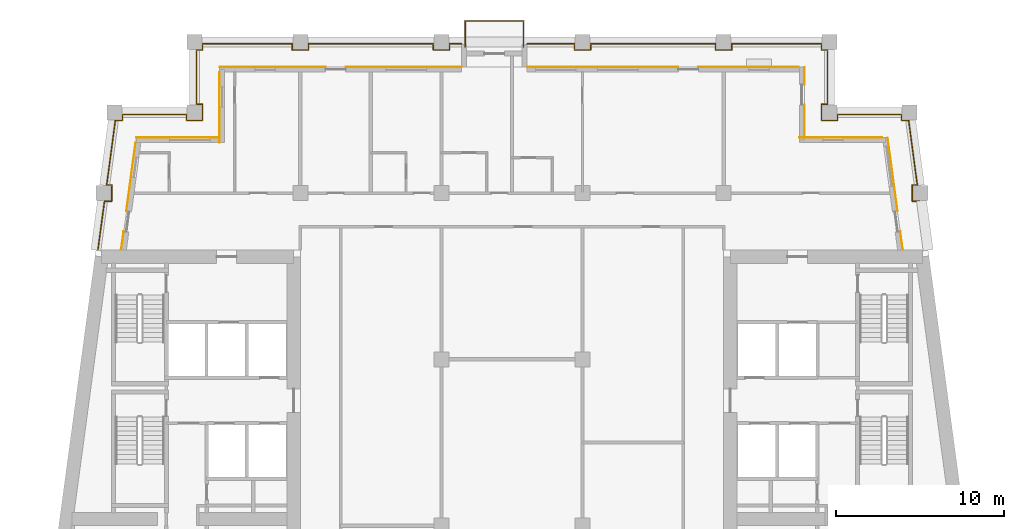
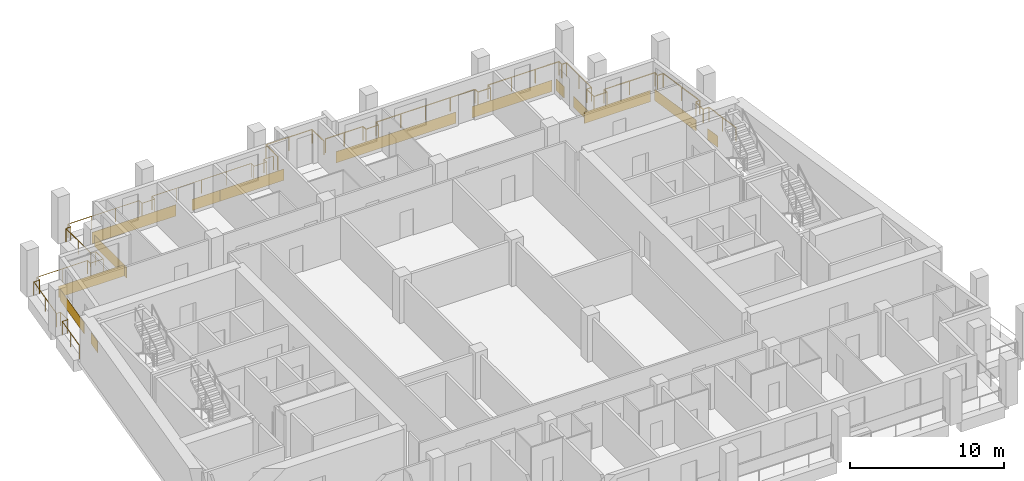
# One storey, part 11 of 12: 14 coverings, 3 railings.
"""IFC4 building model written with IfcOpenShell, lengths in metres."""

from ifc_helpers import new_model, si_unit, direction, frame, origin, origin_2d, place, context, subcontext, project, spatial, rectangle, circle, extrude, material, layer, layer_set, type_object, element, save


model = new_model("IFC4")

# Units and contexts
model_context = context("Model", 3, precision=1e-05, world=origin(), true_north=direction((0.0, 1.0)))
body_context = subcontext(model_context, "Body", "Model", "MODEL_VIEW")
ifc_project = project(units=[si_unit("LENGTHUNIT", "METRE"), si_unit("AREAUNIT", "SQUARE_METRE"), si_unit("VOLUMEUNIT", "CUBIC_METRE"), si_unit("PLANEANGLEUNIT", "RADIAN"), si_unit("MASSUNIT", "GRAM", prefix="KILO")], contexts=[model_context])

# Site, building, storey
site_placement = place(None, origin())
site = spatial("IfcSite", under=ifc_project, at=site_placement, CompositionType="ELEMENT")
building_placement = place(site_placement, origin())
building = spatial("IfcBuilding", under=site, at=building_placement, Name="Candeia Pilgrim Tower and Theatre", CompositionType="ELEMENT")
storey_placement = place(building_placement, frame((0.0, 0.0, 209.60009765625)))
storey = spatial("IfcBuildingStorey", under=building, at=storey_placement, Name="L50", CompositionType="ELEMENT", Elevation=209.60009765625)

# Railings
ifc_material_1 = material(Name="Stainless steel balustrade", Category="steel")
railing_type = type_object("IfcRailingType", Name="G1 loggia guard 1100", PredefinedType="GUARDRAIL", material=ifc_material_1)
railing_1_placement = place(storey_placement, frame((88.758544921875, 132.449951171875, 0.0)))
element("IfcRailing", 1, at=railing_1_placement, inside=storey, type_object=railing_type, Name="Guard L50.2", PredefinedType="GUARDRAIL", context=body_context, shape_type="SweptSolid", body=[
    extrude(circle(Radius=0.02392578125, at=origin_2d()), frame((0.0, 0.0, 1.076171875), z_axis=(0.133450228179, 0.991055516406, 0.0), x_axis=(-0.991055516406, 0.133450228179, 0.0)), (0.0, 0.0, 1.0), 2.89599609375),
    extrude(circle(Radius=0.02392578125, at=origin_2d()), frame((0.386474609375, 2.8701171875, 1.076171875), z_axis=(1.0, 0.0, 0.0), x_axis=(0.0, 1.0, 0.0)), (0.0, 0.0, 1.0), 0.42333984375),
    extrude(circle(Radius=0.02392578125, at=origin_2d()), frame((0.809814453125, 2.8701171875, 1.076171875), z_axis=(0.0, 1.0, 0.0), x_axis=(-1.0, 0.0, 0.0)), (0.0, 0.0, 1.0), 0.9599609375),
    extrude(circle(Radius=0.02392578125, at=origin_2d()), frame((0.809814453125, 3.830078125, 1.076171875), z_axis=(-1.0, 0.0, 0.0), x_axis=(0.0, -1.0, 0.0)), (0.0, 0.0, 1.0), 0.294189453125),
    extrude(circle(Radius=0.02392578125, at=origin_2d()), frame((0.515625, 3.830078125, 1.076171875), z_axis=(0.133389399471, 0.991063705374, 0.0), x_axis=(-0.991063705374, 0.133389399471, 0.0)), (0.0, 0.0, 1.0), 3.874755859375),
    extrude(circle(Radius=0.02392578125, at=origin_2d()), frame((1.032470703125, 7.670166015625, 1.076171875), z_axis=(1.0, 0.0, 0.0), x_axis=(0.0, 1.0, 0.0)), (0.0, 0.0, 1.0), 0.423583984375),
    extrude(circle(Radius=0.02392578125, at=origin_2d()), frame((1.4560546875, 7.670166015625, 1.076171875), z_axis=(0.0, 1.0, 0.0), x_axis=(-1.0, 0.0, 0.0)), (0.0, 0.0, 1.0), 0.35986328125),
    extrude(circle(Radius=0.02392578125, at=origin_2d()), frame((1.4560546875, 8.030029296875, 1.076171875), z_axis=(1.0, 0.0, 0.0), x_axis=(0.0, 1.0, 0.0)), (0.0, 0.0, 1.0), 3.805419921875),
    extrude(circle(Radius=0.02392578125, at=origin_2d()), frame((5.261474609375, 8.030029296875, 1.076171875), z_axis=(0.0, -1.0, 0.0), x_axis=(1.0, 0.0, 0.0)), (0.0, 0.0, 1.0), 0.35986328125),
    extrude(circle(Radius=0.02392578125, at=origin_2d()), frame((5.261474609375, 7.670166015625, 1.076171875), z_axis=(1.0, 0.0, 0.0), x_axis=(0.0, 1.0, 0.0)), (0.0, 0.0, 1.0), 0.9599609375),
    extrude(circle(Radius=0.02392578125, at=origin_2d()), frame((6.221435546875, 7.670166015625, 1.076171875), z_axis=(0.0, 1.0, 0.0), x_axis=(-1.0, 0.0, 0.0)), (0.0, 0.0, 1.0), 0.9599609375),
    extrude(circle(Radius=0.02392578125, at=origin_2d()), frame((6.221435546875, 8.630126953125, 1.076171875), z_axis=(-1.0, 0.0, 0.0), x_axis=(0.0, -1.0, 0.0)), (0.0, 0.0, 1.0), 0.35986328125),
    extrude(circle(Radius=0.02392578125, at=origin_2d()), frame((5.861572265625, 8.630126953125, 1.076171875), z_axis=(0.0, 1.0, 0.0), x_axis=(-1.0, 0.0, 0.0)), (0.0, 0.0, 1.0), 3.239990234375),
    extrude(circle(Radius=0.02392578125, at=origin_2d()), frame((5.861572265625, 11.8701171875, 1.076171875), z_axis=(1.0, 0.0, 0.0), x_axis=(0.0, 1.0, 0.0)), (0.0, 0.0, 1.0), 0.35986328125),
    extrude(circle(Radius=0.02392578125, at=origin_2d()), frame((6.221435546875, 11.8701171875, 1.076171875), z_axis=(0.0, 1.0, 0.0), x_axis=(-1.0, 0.0, 0.0)), (0.0, 0.0, 1.0), 0.35986328125),
    extrude(circle(Radius=0.02392578125, at=origin_2d()), frame((6.221435546875, 12.22998046875, 1.076171875), z_axis=(1.0, 0.0, 0.0), x_axis=(0.0, 1.0, 0.0)), (0.0, 0.0, 1.0), 5.340087890625),
    extrude(circle(Radius=0.02392578125, at=origin_2d()), frame((11.5615234375, 12.22998046875, 1.076171875), z_axis=(0.0, -1.0, 0.0), x_axis=(1.0, 0.0, 0.0)), (0.0, 0.0, 1.0), 0.35986328125),
    extrude(circle(Radius=0.02392578125, at=origin_2d()), frame((11.5615234375, 11.8701171875, 1.076171875), z_axis=(1.0, 0.0, 0.0), x_axis=(0.0, 1.0, 0.0)), (0.0, 0.0, 1.0), 0.9599609375),
    extrude(circle(Radius=0.02392578125, at=origin_2d()), frame((12.521484375, 11.8701171875, 1.076171875), z_axis=(0.0, 1.0, 0.0), x_axis=(-1.0, 0.0, 0.0)), (0.0, 0.0, 1.0), 0.35986328125),
    extrude(circle(Radius=0.02392578125, at=origin_2d()), frame((12.521484375, 12.22998046875, 1.076171875), z_axis=(1.0, 0.0, 0.0), x_axis=(0.0, 1.0, 0.0)), (0.0, 0.0, 1.0), 7.43994140625),
    extrude(circle(Radius=0.02392578125, at=origin_2d()), frame((19.96142578125, 12.22998046875, 1.076171875), z_axis=(0.0, -1.0, 0.0), x_axis=(1.0, 0.0, 0.0)), (0.0, 0.0, 1.0), 0.35986328125),
    extrude(circle(Radius=0.02392578125, at=origin_2d()), frame((19.96142578125, 11.8701171875, 1.076171875), z_axis=(1.0, 0.0, 0.0), x_axis=(0.0, 1.0, 0.0)), (0.0, 0.0, 1.0), 0.9599609375),
    extrude(circle(Radius=0.02392578125, at=origin_2d()), frame((20.92138671875, 11.8701171875, 1.076171875), z_axis=(0.0, 1.0, 0.0), x_axis=(-1.0, 0.0, 0.0)), (0.0, 0.0, 1.0), 0.35986328125),
    extrude(circle(Radius=0.02392578125, at=origin_2d()), frame((20.92138671875, 12.22998046875, 1.076171875), z_axis=(1.0, 0.0, 0.0), x_axis=(0.0, 1.0, 0.0)), (0.0, 0.0, 1.0), 0.719970703125),
    extrude(circle(Radius=0.02099609375, at=origin_2d()), origin(), (0.0, 0.0, 1.0), 1.052001953125),
    extrude(circle(Radius=0.02099609375, at=origin_2d()), frame((0.193359375, 1.43505859375, 0.0)), (0.0, 0.0, 1.0), 1.052001953125),
    extrude(circle(Radius=0.02099609375, at=origin_2d()), frame((0.386474609375, 2.8701171875, 0.0)), (0.0, 0.0, 1.0), 1.052001953125),
    extrude(circle(Radius=0.02099609375, at=origin_2d()), frame((0.809814453125, 2.8701171875, 0.0)), (0.0, 0.0, 1.0), 1.052001953125),
    extrude(circle(Radius=0.02099609375, at=origin_2d()), frame((0.809814453125, 3.830078125, 0.0)), (0.0, 0.0, 1.0), 1.052001953125),
    extrude(circle(Radius=0.02099609375, at=origin_2d()), frame((0.515625, 3.830078125, 0.0)), (0.0, 0.0, 1.0), 1.052001953125),
    extrude(circle(Radius=0.02099609375, at=origin_2d()), frame((0.77392578125, 5.75, 0.0)), (0.0, 0.0, 1.0), 1.052001953125),
    extrude(circle(Radius=0.02099609375, at=origin_2d()), frame((1.032470703125, 7.670166015625, 0.0)), (0.0, 0.0, 1.0), 1.052001953125),
    extrude(circle(Radius=0.02099609375, at=origin_2d()), frame((1.4560546875, 7.670166015625, 0.0)), (0.0, 0.0, 1.0), 1.052001953125),
    extrude(circle(Radius=0.02099609375, at=origin_2d()), frame((1.4560546875, 8.030029296875, 0.0)), (0.0, 0.0, 1.0), 1.052001953125),
    extrude(circle(Radius=0.02099609375, at=origin_2d()), frame((3.35888671875, 8.030029296875, 0.0)), (0.0, 0.0, 1.0), 1.052001953125),
    extrude(circle(Radius=0.02099609375, at=origin_2d()), frame((5.261474609375, 8.030029296875, 0.0)), (0.0, 0.0, 1.0), 1.052001953125),
    extrude(circle(Radius=0.02099609375, at=origin_2d()), frame((5.261474609375, 7.670166015625, 0.0)), (0.0, 0.0, 1.0), 1.052001953125),
    extrude(circle(Radius=0.02099609375, at=origin_2d()), frame((6.221435546875, 7.670166015625, 0.0)), (0.0, 0.0, 1.0), 1.052001953125),
    extrude(circle(Radius=0.02099609375, at=origin_2d()), frame((6.221435546875, 8.630126953125, 0.0)), (0.0, 0.0, 1.0), 1.052001953125),
    extrude(circle(Radius=0.02099609375, at=origin_2d()), frame((5.861572265625, 8.630126953125, 0.0)), (0.0, 0.0, 1.0), 1.052001953125),
    extrude(circle(Radius=0.02099609375, at=origin_2d()), frame((5.861572265625, 10.25, 0.0)), (0.0, 0.0, 1.0), 1.052001953125),
    extrude(circle(Radius=0.02099609375, at=origin_2d()), frame((5.861572265625, 11.8701171875, 0.0)), (0.0, 0.0, 1.0), 1.052001953125),
    extrude(circle(Radius=0.02099609375, at=origin_2d()), frame((6.221435546875, 11.8701171875, 0.0)), (0.0, 0.0, 1.0), 1.052001953125),
    extrude(circle(Radius=0.02099609375, at=origin_2d()), frame((6.221435546875, 12.22998046875, 0.0)), (0.0, 0.0, 1.0), 1.052001953125),
    extrude(circle(Radius=0.02099609375, at=origin_2d()), frame((8.00146484375, 12.22998046875, 0.0)), (0.0, 0.0, 1.0), 1.052001953125),
    extrude(circle(Radius=0.02099609375, at=origin_2d()), frame((9.781494140625, 12.22998046875, 0.0)), (0.0, 0.0, 1.0), 1.052001953125),
    extrude(circle(Radius=0.02099609375, at=origin_2d()), frame((11.5615234375, 12.22998046875, 0.0)), (0.0, 0.0, 1.0), 1.052001953125),
    extrude(circle(Radius=0.02099609375, at=origin_2d()), frame((11.5615234375, 11.8701171875, 0.0)), (0.0, 0.0, 1.0), 1.052001953125),
    extrude(circle(Radius=0.02099609375, at=origin_2d()), frame((12.521484375, 11.8701171875, 0.0)), (0.0, 0.0, 1.0), 1.052001953125),
    extrude(circle(Radius=0.02099609375, at=origin_2d()), frame((12.521484375, 12.22998046875, 0.0)), (0.0, 0.0, 1.0), 1.052001953125),
    extrude(circle(Radius=0.02099609375, at=origin_2d()), frame((14.38134765625, 12.22998046875, 0.0)), (0.0, 0.0, 1.0), 1.052001953125),
    extrude(circle(Radius=0.02099609375, at=origin_2d()), frame((16.241455078125, 12.22998046875, 0.0)), (0.0, 0.0, 1.0), 1.052001953125),
    extrude(circle(Radius=0.02099609375, at=origin_2d()), frame((18.1015625, 12.22998046875, 0.0)), (0.0, 0.0, 1.0), 1.052001953125),
    extrude(circle(Radius=0.02099609375, at=origin_2d()), frame((19.96142578125, 12.22998046875, 0.0)), (0.0, 0.0, 1.0), 1.052001953125),
    extrude(circle(Radius=0.02099609375, at=origin_2d()), frame((19.96142578125, 11.8701171875, 0.0)), (0.0, 0.0, 1.0), 1.052001953125),
    extrude(circle(Radius=0.02099609375, at=origin_2d()), frame((20.92138671875, 11.8701171875, 0.0)), (0.0, 0.0, 1.0), 1.052001953125),
    extrude(circle(Radius=0.02099609375, at=origin_2d()), frame((20.92138671875, 12.22998046875, 0.0)), (0.0, 0.0, 1.0), 1.052001953125),
    extrude(circle(Radius=0.02099609375, at=origin_2d()), frame((21.641357421875, 12.22998046875, 0.0)), (0.0, 0.0, 1.0), 1.052001953125),
])
railing_2_placement = place(storey_placement, frame((114.300048828125, 144.679931640625, 0.0)))
element("IfcRailing", 2, at=railing_2_placement, inside=storey, type_object=railing_type, Name="Guard L50.3", PredefinedType="GUARDRAIL", context=body_context, shape_type="SweptSolid", body=[
    extrude(circle(Radius=0.02392578125, at=origin_2d()), frame((0.0, 0.0, 1.076171875), z_axis=(1.0, 0.0, 0.0), x_axis=(0.0, 1.0, 0.0)), (0.0, 0.0, 1.0), 2.820068359375),
    extrude(circle(Radius=0.02392578125, at=origin_2d()), frame((2.820068359375, 0.0, 1.076171875), z_axis=(0.0, -1.0, 0.0), x_axis=(1.0, 0.0, 0.0)), (0.0, 0.0, 1.0), 0.35986328125),
    extrude(circle(Radius=0.02392578125, at=origin_2d()), frame((2.820068359375, -0.35986328125, 1.076171875), z_axis=(1.0, 0.0, 0.0), x_axis=(0.0, 1.0, 0.0)), (0.0, 0.0, 1.0), 0.9599609375),
    extrude(circle(Radius=0.02392578125, at=origin_2d()), frame((3.780029296875, -0.35986328125, 1.076171875), z_axis=(0.0, 1.0, 0.0), x_axis=(-1.0, 0.0, 0.0)), (0.0, 0.0, 1.0), 0.35986328125),
    extrude(circle(Radius=0.02392578125, at=origin_2d()), frame((3.780029296875, 0.0, 1.076171875), z_axis=(1.0, 0.0, 0.0), x_axis=(0.0, 1.0, 0.0)), (0.0, 0.0, 1.0), 7.43994140625),
    extrude(circle(Radius=0.02392578125, at=origin_2d()), frame((11.219970703125, 0.0, 1.076171875), z_axis=(0.0, -1.0, 0.0), x_axis=(1.0, 0.0, 0.0)), (0.0, 0.0, 1.0), 0.35986328125),
    extrude(circle(Radius=0.02392578125, at=origin_2d()), frame((11.219970703125, -0.35986328125, 1.076171875), z_axis=(1.0, 0.0, 0.0), x_axis=(0.0, 1.0, 0.0)), (0.0, 0.0, 1.0), 0.9599609375),
    extrude(circle(Radius=0.02392578125, at=origin_2d()), frame((12.179931640625, -0.35986328125, 1.076171875), z_axis=(0.0, 1.0, 0.0), x_axis=(-1.0, 0.0, 0.0)), (0.0, 0.0, 1.0), 0.35986328125),
    extrude(circle(Radius=0.02392578125, at=origin_2d()), frame((12.179931640625, 0.0, 1.076171875), z_axis=(1.0, 0.0, 0.0), x_axis=(0.0, 1.0, 0.0)), (0.0, 0.0, 1.0), 5.340087890625),
    extrude(circle(Radius=0.02392578125, at=origin_2d()), frame((17.52001953125, 0.0, 1.076171875), z_axis=(0.0, -1.0, 0.0), x_axis=(1.0, 0.0, 0.0)), (0.0, 0.0, 1.0), 0.35986328125),
    extrude(circle(Radius=0.02392578125, at=origin_2d()), frame((17.52001953125, -0.35986328125, 1.076171875), z_axis=(1.0, 0.0, 0.0), x_axis=(0.0, 1.0, 0.0)), (0.0, 0.0, 1.0), 0.35986328125),
    extrude(circle(Radius=0.02392578125, at=origin_2d()), frame((17.8798828125, -0.35986328125, 1.076171875), z_axis=(0.0, -1.0, 0.0), x_axis=(1.0, 0.0, 0.0)), (0.0, 0.0, 1.0), 3.239990234375),
    extrude(circle(Radius=0.02392578125, at=origin_2d()), frame((17.8798828125, -3.599853515625, 1.076171875), z_axis=(-1.0, 0.0, 0.0), x_axis=(0.0, -1.0, 0.0)), (0.0, 0.0, 1.0), 0.35986328125),
    extrude(circle(Radius=0.02392578125, at=origin_2d()), frame((17.52001953125, -3.599853515625, 1.076171875), z_axis=(0.0, -1.0, 0.0), x_axis=(1.0, 0.0, 0.0)), (0.0, 0.0, 1.0), 0.9599609375),
    extrude(circle(Radius=0.02392578125, at=origin_2d()), frame((17.52001953125, -4.559814453125, 1.076171875), z_axis=(1.0, 0.0, 0.0), x_axis=(0.0, 1.0, 0.0)), (0.0, 0.0, 1.0), 0.9599609375),
    extrude(circle(Radius=0.02392578125, at=origin_2d()), frame((18.47998046875, -4.559814453125, 1.076171875), z_axis=(0.0, 1.0, 0.0), x_axis=(-1.0, 0.0, 0.0)), (0.0, 0.0, 1.0), 0.35986328125),
    extrude(circle(Radius=0.02392578125, at=origin_2d()), frame((18.47998046875, -4.199951171875, 1.076171875), z_axis=(1.0, 0.0, 0.0), x_axis=(0.0, 1.0, 0.0)), (0.0, 0.0, 1.0), 3.805419921875),
    extrude(circle(Radius=0.02392578125, at=origin_2d()), frame((22.285400390625, -4.199951171875, 1.076171875), z_axis=(0.0, -1.0, 0.0), x_axis=(1.0, 0.0, 0.0)), (0.0, 0.0, 1.0), 0.35986328125),
    extrude(circle(Radius=0.02392578125, at=origin_2d()), frame((22.285400390625, -4.559814453125, 1.076171875), z_axis=(1.0, 0.0, 0.0), x_axis=(0.0, 1.0, 0.0)), (0.0, 0.0, 1.0), 0.423583984375),
    extrude(circle(Radius=0.02392578125, at=origin_2d()), frame((22.708984375, -4.559814453125, 1.076171875), z_axis=(0.133389399471, -0.991063705374, 0.0), x_axis=(0.991063705374, 0.133389399471, 0.0)), (0.0, 0.0, 1.0), 3.874755859375),
    extrude(circle(Radius=0.02392578125, at=origin_2d()), frame((23.225830078125, -8.39990234375, 1.076171875), z_axis=(-1.0, 0.0, 0.0), x_axis=(0.0, -1.0, 0.0)), (0.0, 0.0, 1.0), 0.29443359375),
    extrude(circle(Radius=0.02392578125, at=origin_2d()), frame((22.931396484375, -8.39990234375, 1.076171875), z_axis=(0.0, -1.0, 0.0), x_axis=(1.0, 0.0, 0.0)), (0.0, 0.0, 1.0), 0.9599609375),
    extrude(circle(Radius=0.02392578125, at=origin_2d()), frame((22.931396484375, -9.35986328125, 1.076171875), z_axis=(1.0, 0.0, 0.0), x_axis=(0.0, 1.0, 0.0)), (0.0, 0.0, 1.0), 0.423583984375),
    extrude(circle(Radius=0.02392578125, at=origin_2d()), frame((23.35498046875, -9.35986328125, 1.076171875), z_axis=(0.133450228179, -0.991055516406, 0.0), x_axis=(0.991055516406, 0.133450228179, 0.0)), (0.0, 0.0, 1.0), 2.89599609375),
    extrude(circle(Radius=0.02099609375, at=origin_2d()), origin(), (0.0, 0.0, 1.0), 1.052001953125),
    extrude(circle(Radius=0.02099609375, at=origin_2d()), frame((1.41015625, 0.0, 0.0)), (0.0, 0.0, 1.0), 1.052001953125),
    extrude(circle(Radius=0.02099609375, at=origin_2d()), frame((2.820068359375, 0.0, 0.0)), (0.0, 0.0, 1.0), 1.052001953125),
    extrude(circle(Radius=0.02099609375, at=origin_2d()), frame((2.820068359375, -0.35986328125, 0.0)), (0.0, 0.0, 1.0), 1.052001953125),
    extrude(circle(Radius=0.02099609375, at=origin_2d()), frame((3.780029296875, -0.35986328125, 0.0)), (0.0, 0.0, 1.0), 1.052001953125),
    extrude(circle(Radius=0.02099609375, at=origin_2d()), frame((3.780029296875, 0.0, 0.0)), (0.0, 0.0, 1.0), 1.052001953125),
    extrude(circle(Radius=0.02099609375, at=origin_2d()), frame((5.64013671875, 0.0, 0.0)), (0.0, 0.0, 1.0), 1.052001953125),
    extrude(circle(Radius=0.02099609375, at=origin_2d()), frame((7.5, 0.0, 0.0)), (0.0, 0.0, 1.0), 1.052001953125),
    extrude(circle(Radius=0.02099609375, at=origin_2d()), frame((9.35986328125, 0.0, 0.0)), (0.0, 0.0, 1.0), 1.052001953125),
    extrude(circle(Radius=0.02099609375, at=origin_2d()), frame((11.219970703125, 0.0, 0.0)), (0.0, 0.0, 1.0), 1.052001953125),
    extrude(circle(Radius=0.02099609375, at=origin_2d()), frame((11.219970703125, -0.35986328125, 0.0)), (0.0, 0.0, 1.0), 1.052001953125),
    extrude(circle(Radius=0.02099609375, at=origin_2d()), frame((12.179931640625, -0.35986328125, 0.0)), (0.0, 0.0, 1.0), 1.052001953125),
    extrude(circle(Radius=0.02099609375, at=origin_2d()), frame((12.179931640625, 0.0, 0.0)), (0.0, 0.0, 1.0), 1.052001953125),
    extrude(circle(Radius=0.02099609375, at=origin_2d()), frame((13.9599609375, 0.0, 0.0)), (0.0, 0.0, 1.0), 1.052001953125),
    extrude(circle(Radius=0.02099609375, at=origin_2d()), frame((15.739990234375, 0.0, 0.0)), (0.0, 0.0, 1.0), 1.052001953125),
    extrude(circle(Radius=0.02099609375, at=origin_2d()), frame((17.52001953125, 0.0, 0.0)), (0.0, 0.0, 1.0), 1.052001953125),
    extrude(circle(Radius=0.02099609375, at=origin_2d()), frame((17.52001953125, -0.35986328125, 0.0)), (0.0, 0.0, 1.0), 1.052001953125),
    extrude(circle(Radius=0.02099609375, at=origin_2d()), frame((17.8798828125, -0.35986328125, 0.0)), (0.0, 0.0, 1.0), 1.052001953125),
    extrude(circle(Radius=0.02099609375, at=origin_2d()), frame((17.8798828125, -1.97998046875, 0.0)), (0.0, 0.0, 1.0), 1.052001953125),
    extrude(circle(Radius=0.02099609375, at=origin_2d()), frame((17.8798828125, -3.599853515625, 0.0)), (0.0, 0.0, 1.0), 1.052001953125),
    extrude(circle(Radius=0.02099609375, at=origin_2d()), frame((17.52001953125, -3.599853515625, 0.0)), (0.0, 0.0, 1.0), 1.052001953125),
    extrude(circle(Radius=0.02099609375, at=origin_2d()), frame((17.52001953125, -4.559814453125, 0.0)), (0.0, 0.0, 1.0), 1.052001953125),
    extrude(circle(Radius=0.02099609375, at=origin_2d()), frame((18.47998046875, -4.559814453125, 0.0)), (0.0, 0.0, 1.0), 1.052001953125),
    extrude(circle(Radius=0.02099609375, at=origin_2d()), frame((18.47998046875, -4.199951171875, 0.0)), (0.0, 0.0, 1.0), 1.052001953125),
    extrude(circle(Radius=0.02099609375, at=origin_2d()), frame((20.3828125, -4.199951171875, 0.0)), (0.0, 0.0, 1.0), 1.052001953125),
    extrude(circle(Radius=0.02099609375, at=origin_2d()), frame((22.285400390625, -4.199951171875, 0.0)), (0.0, 0.0, 1.0), 1.052001953125),
    extrude(circle(Radius=0.02099609375, at=origin_2d()), frame((22.285400390625, -4.559814453125, 0.0)), (0.0, 0.0, 1.0), 1.052001953125),
    extrude(circle(Radius=0.02099609375, at=origin_2d()), frame((22.708984375, -4.559814453125, 0.0)), (0.0, 0.0, 1.0), 1.052001953125),
    extrude(circle(Radius=0.02099609375, at=origin_2d()), frame((22.96728515625, -6.47998046875, 0.0)), (0.0, 0.0, 1.0), 1.052001953125),
    extrude(circle(Radius=0.02099609375, at=origin_2d()), frame((23.225830078125, -8.39990234375, 0.0)), (0.0, 0.0, 1.0), 1.052001953125),
    extrude(circle(Radius=0.02099609375, at=origin_2d()), frame((22.931396484375, -8.39990234375, 0.0)), (0.0, 0.0, 1.0), 1.052001953125),
    extrude(circle(Radius=0.02099609375, at=origin_2d()), frame((22.931396484375, -9.35986328125, 0.0)), (0.0, 0.0, 1.0), 1.052001953125),
    extrude(circle(Radius=0.02099609375, at=origin_2d()), frame((23.35498046875, -9.35986328125, 0.0)), (0.0, 0.0, 1.0), 1.052001953125),
    extrude(circle(Radius=0.02099609375, at=origin_2d()), frame((23.54833984375, -10.794921875, 0.0)), (0.0, 0.0, 1.0), 1.052001953125),
    extrude(circle(Radius=0.02099609375, at=origin_2d()), frame((23.741455078125, -12.22998046875, 0.0)), (0.0, 0.0, 1.0), 1.052001953125),
])
railing_3_placement = place(storey_placement, frame((110.610107421875, 144.5, 0.0)))
element("IfcRailing", 3, at=railing_3_placement, inside=storey, type_object=railing_type, Name="Balcony guard L50", PredefinedType="GUARDRAIL", context=body_context, shape_type="SweptSolid", body=[
    extrude(circle(Radius=0.02392578125, at=origin_2d()), frame((0.0, 0.0, 1.076171875), z_axis=(0.0, 1.0, 0.0), x_axis=(-1.0, 0.0, 0.0)), (0.0, 0.0, 1.0), 1.5400390625),
    extrude(circle(Radius=0.02392578125, at=origin_2d()), frame((0.0, 1.5400390625, 1.076171875), z_axis=(1.0, 0.0, 0.0), x_axis=(0.0, 1.0, 0.0)), (0.0, 0.0, 1.0), 3.47998046875),
    extrude(circle(Radius=0.02392578125, at=origin_2d()), frame((3.47998046875, 1.5400390625, 1.076171875), z_axis=(0.0, -1.0, 0.0), x_axis=(1.0, 0.0, 0.0)), (0.0, 0.0, 1.0), 1.5400390625),
    extrude(circle(Radius=0.02099609375, at=origin_2d()), origin(), (0.0, 0.0, 1.0), 1.052001953125),
    extrude(circle(Radius=0.02099609375, at=origin_2d()), frame((0.0, 1.5400390625, 0.0)), (0.0, 0.0, 1.0), 1.052001953125),
    extrude(circle(Radius=0.02099609375, at=origin_2d()), frame((1.739990234375, 1.5400390625, 0.0)), (0.0, 0.0, 1.0), 1.052001953125),
    extrude(circle(Radius=0.02099609375, at=origin_2d()), frame((3.47998046875, 1.5400390625, 0.0)), (0.0, 0.0, 1.0), 1.052001953125),
    extrude(circle(Radius=0.02099609375, at=origin_2d()), frame((3.47998046875, 0.0, 0.0)), (0.0, 0.0, 1.0), 1.052001953125),
])

# Coverings
ifc_material_2 = material(Name="Glazed ceramic tile bottle green")
ifc_layer_1 = layer(ifc_material_2, 0.02001953125)
ifc_layer_set_1 = layer_set([ifc_layer_1], Name="Glazed ceramic tile bottle green")
covering_type_1 = type_object("IfcCoveringType", Name="Glazed ceramic tile bottle green", PredefinedType="CLADDING", material=ifc_layer_set_1)
covering_1_placement = place(storey_placement, frame((136.588623046875, 132.97412109375, 0.0), z_axis=(0.0, 0.0, 1.0), x_axis=(-0.133412012145, 0.991060661622, 0.0)))
element("IfcCovering", 4, at=covering_1_placement, inside=storey, type_object=covering_type_1, Name="Tile cladding bottle green L50", PredefinedType="CLADDING", context=body_context, shape_type="SweptSolid", body=[
    extrude(rectangle(XDim=1.115234375, YDim=0.02001953125, at=origin_2d()), origin(), (0.0, 0.0, 1.0), 0.89990234375),
])
covering_2_placement = place(storey_placement, frame((136.058837890625, 136.90869140625, 0.0), z_axis=(0.0, 0.0, 1.0), x_axis=(-0.133412012145, 0.991060661622, 0.0)))
element("IfcCovering", 5, at=covering_2_placement, inside=storey, type_object=covering_type_1, Name="Tile cladding bottle green L50", PredefinedType="CLADDING", context=body_context, shape_type="SweptSolid", body=[
    extrude(rectangle(XDim=4.4248046875, YDim=0.02001953125, at=origin_2d()), origin(), (0.0, 0.0, 1.0), 0.89990234375),
])
covering_3_placement = place(storey_placement, frame((132.976318359375, 139.110107421875, 0.0), z_axis=(0.0, 0.0, 1.0), x_axis=(-1.0, 0.0, 0.0)))
element("IfcCovering", 6, at=covering_3_placement, inside=storey, type_object=covering_type_1, Name="Tile cladding bottle green L50", PredefinedType="CLADDING", context=body_context, shape_type="SweptSolid", body=[
    extrude(rectangle(XDim=4.95263671875, YDim=0.02001953125, at=origin_2d()), origin(), (0.0, 0.0, 1.0), 0.89990234375),
])
covering_4_placement = place(storey_placement, frame((130.81005859375, 140.0849609375, 0.0), z_axis=(0.0, 0.0, 1.0), x_axis=(0.0, 1.0, 0.0)))
element("IfcCovering", 7, at=covering_4_placement, inside=storey, type_object=covering_type_1, Name="Tile cladding bottle green L50", PredefinedType="CLADDING", context=body_context, shape_type="SweptSolid", body=[
    extrude(rectangle(XDim=1.929931640625, YDim=0.02001953125, at=origin_2d()), origin(), (0.0, 0.0, 1.0), 0.89990234375),
])
covering_5_placement = place(storey_placement, frame((130.81005859375, 142.77490234375, 0.0), z_axis=(0.0, 0.0, 1.0), x_axis=(0.0, 1.0, 0.0)))
element("IfcCovering", 8, at=covering_5_placement, inside=storey, type_object=covering_type_1, Name="Tile cladding bottle green L50", PredefinedType="CLADDING", context=body_context, shape_type="SweptSolid", body=[
    extrude(rectangle(XDim=1.050048828125, YDim=0.02001953125, at=origin_2d()), origin(), (0.0, 0.0, 1.0), 0.89990234375),
])
covering_6_placement = place(storey_placement, frame((127.489990234375, 143.31005859375, 0.0), z_axis=(0.0, 0.0, 1.0), x_axis=(-1.0, 0.0, 0.0)))
element("IfcCovering", 9, at=covering_6_placement, inside=storey, type_object=covering_type_1, Name="Tile cladding bottle green L50", PredefinedType="CLADDING", context=body_context, shape_type="SweptSolid", body=[
    extrude(rectangle(XDim=5.97998046875, YDim=0.02001953125, at=origin_2d()), origin(), (0.0, 0.0, 1.0), 0.89990234375),
])
covering_7_placement = place(storey_placement, frame((118.800048828125, 143.31005859375, 0.0), z_axis=(0.0, 0.0, 1.0), x_axis=(-1.0, 0.0, 0.0)))
element("IfcCovering", 10, at=covering_7_placement, inside=storey, type_object=covering_type_1, Name="Tile cladding bottle green L50", PredefinedType="CLADDING", context=body_context, shape_type="SweptSolid", body=[
    extrude(rectangle(XDim=9.0, YDim=0.02001953125, at=origin_2d()), origin(), (0.0, 0.0, 1.0), 0.89990234375),
])
covering_8_placement = place(storey_placement, frame((108.0, 143.31005859375, 0.0), z_axis=(0.0, 0.0, 1.0), x_axis=(-1.0, 0.0, 0.0)))
element("IfcCovering", 11, at=covering_8_placement, inside=storey, type_object=covering_type_1, Name="Tile cladding bottle green L50", PredefinedType="CLADDING", context=body_context, shape_type="SweptSolid", body=[
    extrude(rectangle(XDim=4.800048828125, YDim=0.02001953125, at=origin_2d()), origin(), (0.0, 0.0, 1.0), 0.89990234375),
])
covering_9_placement = place(storey_placement, frame((95.989990234375, 140.889892578125, 0.0), z_axis=(0.0, 0.0, 1.0), x_axis=(0.0, -1.0, 0.0)))
element("IfcCovering", 12, at=covering_9_placement, inside=storey, type_object=covering_type_1, Name="Tile cladding bottle green L50", PredefinedType="CLADDING", context=body_context, shape_type="SweptSolid", body=[
    extrude(rectangle(XDim=4.179931640625, YDim=0.02001953125, at=origin_2d()), origin(), (0.0, 0.0, 1.0), 0.89990234375),
])
covering_10_placement = place(storey_placement, frame((90.720947265625, 136.759521484375, 0.0), z_axis=(0.0, 0.0, 1.0), x_axis=(-0.133412012145, -0.991060661622, 0.0)))
element("IfcCovering", 13, at=covering_10_placement, inside=storey, type_object=covering_type_1, Name="Tile cladding bottle green L50", PredefinedType="CLADDING", context=body_context, shape_type="SweptSolid", body=[
    extrude(rectangle(XDim=4.123779296875, YDim=0.02001953125, at=origin_2d()), origin(), (0.0, 0.0, 1.0), 0.89990234375),
])
covering_11_placement = place(storey_placement, frame((90.21142578125, 132.97412109375, 0.0), z_axis=(0.0, 0.0, 1.0), x_axis=(-0.133412012145, -0.991060661622, 0.0)))
element("IfcCovering", 14, at=covering_11_placement, inside=storey, type_object=covering_type_1, Name="Tile cladding bottle green L50", PredefinedType="CLADDING", context=body_context, shape_type="SweptSolid", body=[
    extrude(rectangle(XDim=1.115234375, YDim=0.02001953125, at=origin_2d()), origin(), (0.0, 0.0, 1.0), 0.89990234375),
])
ifc_material_3 = material(Name="Glazed ceramic tile rust")
ifc_layer_2 = layer(ifc_material_3, 0.02001953125)
ifc_layer_set_2 = layer_set([ifc_layer_2], Name="Glazed ceramic tile rust")
covering_type_2 = type_object("IfcCoveringType", Name="Glazed ceramic tile rust", PredefinedType="CLADDING", material=ifc_layer_set_2)
covering_12_placement = place(storey_placement, frame((104.550048828125, 143.31005859375, 0.0), z_axis=(0.0, 0.0, 1.0), x_axis=(-1.0, 0.0, 0.0)))
element("IfcCovering", 15, at=covering_12_placement, inside=storey, type_object=covering_type_2, Name="Tile cladding rust L50", PredefinedType="CLADDING", context=body_context, shape_type="SweptSolid", body=[
    extrude(rectangle(XDim=2.10009765625, YDim=0.02001953125, at=origin_2d()), origin(), (0.0, 0.0, 1.0), 0.89990234375),
])
covering_13_placement = place(storey_placement, frame((99.14990234375, 143.31005859375, 0.0), z_axis=(0.0, 0.0, 1.0), x_axis=(-1.0, 0.0, 0.0)))
element("IfcCovering", 16, at=covering_13_placement, inside=storey, type_object=covering_type_2, Name="Tile cladding rust L50", PredefinedType="CLADDING", context=body_context, shape_type="SweptSolid", body=[
    extrude(rectangle(XDim=6.300048828125, YDim=0.02001953125, at=origin_2d()), origin(), (0.0, 0.0, 1.0), 0.89990234375),
])
covering_14_placement = place(storey_placement, frame((93.51318359375, 139.110107421875, 0.0), z_axis=(0.0, 0.0, 1.0), x_axis=(-1.0, 0.0, 0.0)))
element("IfcCovering", 17, at=covering_14_placement, inside=storey, type_object=covering_type_2, Name="Tile cladding rust L50", PredefinedType="CLADDING", context=body_context, shape_type="SweptSolid", body=[
    extrude(rectangle(XDim=4.933837890625, YDim=0.02001953125, at=origin_2d()), origin(), (0.0, 0.0, 1.0), 0.89990234375),
])

save(model, "model.ifc")
